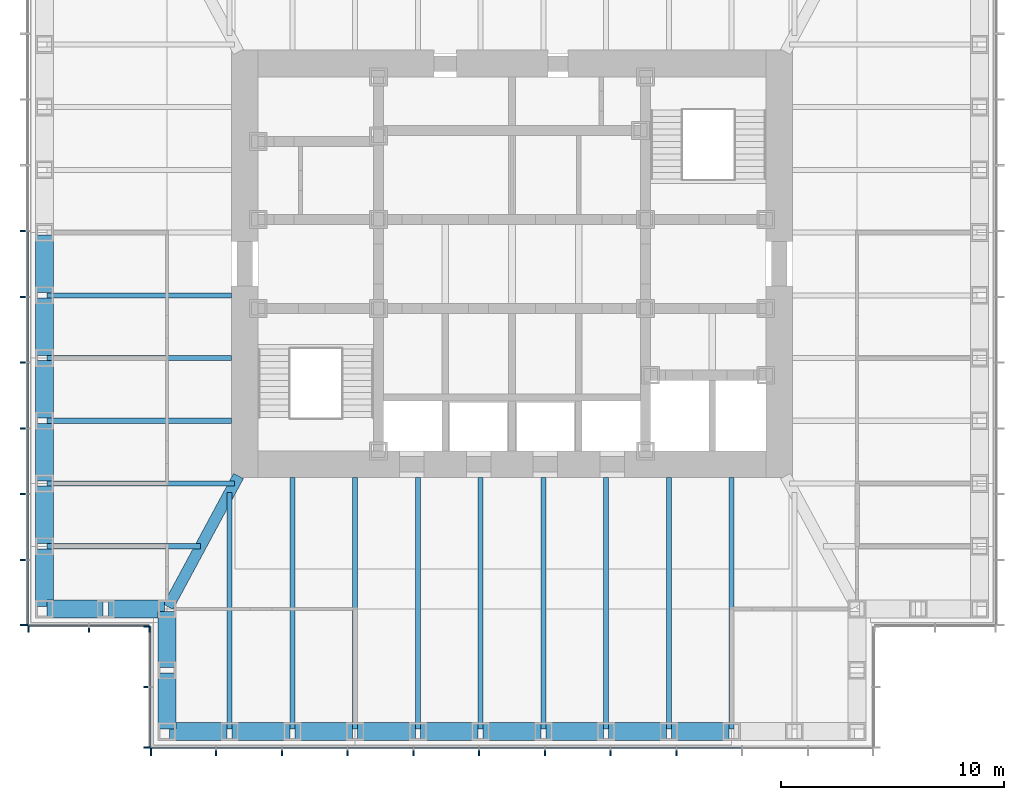
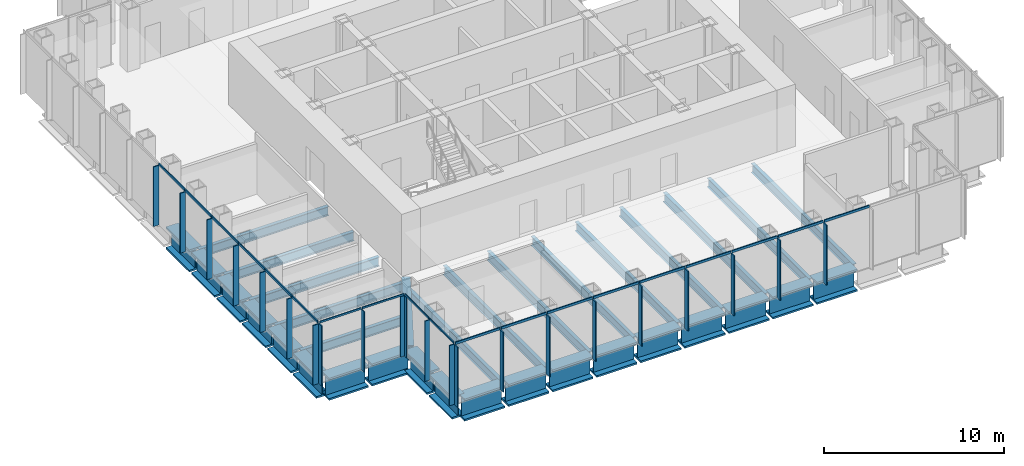
# One storey, part 2 of 16: 41 members, 34 beams, 4 elements without a shape of their own.
"""IFC4 building model written with IfcOpenShell, lengths in metres."""

from ifc_helpers import new_model, si_unit, direction, frame, origin, origin_2d, place, context, subcontext, project, spatial, rectangle, i_section, extrude, material, material_profile, profile_set, type_object, element, aggregate, save


model = new_model("IFC4")

# Units and contexts
model_context = context("Model", 3, precision=1e-05, world=origin(), true_north=direction((0.0, 1.0)))
body_context = subcontext(model_context, "Body", "Model", "MODEL_VIEW")
ifc_project = project(units=[si_unit("LENGTHUNIT", "METRE"), si_unit("AREAUNIT", "SQUARE_METRE"), si_unit("VOLUMEUNIT", "CUBIC_METRE"), si_unit("PLANEANGLEUNIT", "RADIAN"), si_unit("MASSUNIT", "GRAM", prefix="KILO")], contexts=[model_context])

# Site, building, storey
site_placement = place(None, origin())
site = spatial("IfcSite", under=ifc_project, at=site_placement, CompositionType="ELEMENT")
building_placement = place(site_placement, origin())
building = spatial("IfcBuilding", under=site, at=building_placement, Name="Daluyong Arena Tower", CompositionType="ELEMENT")
storey_placement = place(building_placement, frame((0.0, 0.0, 231.699951171875)))
storey = spatial("IfcBuildingStorey", under=building, at=storey_placement, Name="L52", CompositionType="ELEMENT", Elevation=231.699951171875)

# Curtain wall, members
ifc_material_1 = material(Name="Bronze anodised aluminium and glass", Category="aluminium")
curtain_wall_type_1 = type_object("IfcCurtainWallType", Name="Curtain wall CW3", PredefinedType="USERDEFINED", material=ifc_material_1)
curtain_wall_1_placement = place(storey_placement, origin())
curtain_wall_1 = element("IfcCurtainWall", 1, at=curtain_wall_1_placement, inside=storey, type_object=curtain_wall_type_1, Name="curtain wall L52 S", ObjectType="UNITISED CURTAIN WALL", PredefinedType="USERDEFINED")
ifc_material_2 = material(Name="Bronze anodised aluminium fin", Category="aluminium")
ifc_material_profile_1 = material_profile(ifc_material_2, rectangle(XDim=0.35009765625, YDim=0.070068359375, at=origin_2d()))
ifc_profile_set_1 = profile_set([ifc_material_profile_1], Name="Bronze anodised aluminium fin")
member_type_1 = type_object("IfcMemberType", Name="CW3 bronze fin 350x70", PredefinedType="MULLION", material=ifc_profile_set_1)
member_1_placement = place(storey_placement, frame((39.784912109375, 58.074951171875, 0.0), z_axis=(0.0, 0.0, 1.0), x_axis=(0.0, 1.0, 0.0)))
member_1 = element("IfcMember", 2, at=member_1_placement, type_object=member_type_1, Name="curtain wall L52 S fin 1", PredefinedType="MULLION", context=body_context, shape_type="SweptSolid", body=[
    extrude(rectangle(XDim=0.35009765625, YDim=0.070068359375, at=origin_2d()), origin(), (0.0, 0.0, 1.0), 4.0400390625),
])
member_2_placement = place(storey_placement, frame((42.70458984375, 58.074951171875, 0.0), z_axis=(0.0, 0.0, 1.0), x_axis=(0.0, 1.0, 0.0)))
member_2 = element("IfcMember", 3, at=member_2_placement, type_object=member_type_1, Name="curtain wall L52 S fin 2", PredefinedType="MULLION", context=body_context, shape_type="SweptSolid", body=[
    extrude(rectangle(XDim=0.35009765625, YDim=0.070068359375, at=origin_2d()), origin(), (0.0, 0.0, 1.0), 4.0400390625),
])
member_3_placement = place(storey_placement, frame((45.6591796875, 58.074951171875, 0.0), z_axis=(0.0, 0.0, 1.0), x_axis=(0.0, 1.0, 0.0)))
member_3 = element("IfcMember", 4, at=member_3_placement, type_object=member_type_1, Name="curtain wall L52 S fin 3", PredefinedType="MULLION", context=body_context, shape_type="SweptSolid", body=[
    extrude(rectangle(XDim=0.35009765625, YDim=0.070068359375, at=origin_2d()), origin(), (0.0, 0.0, 1.0), 4.0400390625),
])
member_4_placement = place(storey_placement, frame((48.613525390625, 58.074951171875, 0.0), z_axis=(0.0, 0.0, 1.0), x_axis=(0.0, 1.0, 0.0)))
member_4 = element("IfcMember", 5, at=member_4_placement, type_object=member_type_1, Name="curtain wall L52 S fin 4", PredefinedType="MULLION", context=body_context, shape_type="SweptSolid", body=[
    extrude(rectangle(XDim=0.35009765625, YDim=0.070068359375, at=origin_2d()), origin(), (0.0, 0.0, 1.0), 4.0400390625),
])
member_5_placement = place(storey_placement, frame((51.568115234375, 58.074951171875, 0.0), z_axis=(0.0, 0.0, 1.0), x_axis=(0.0, 1.0, 0.0)))
member_5 = element("IfcMember", 6, at=member_5_placement, type_object=member_type_1, Name="curtain wall L52 S fin 5", PredefinedType="MULLION", context=body_context, shape_type="SweptSolid", body=[
    extrude(rectangle(XDim=0.35009765625, YDim=0.070068359375, at=origin_2d()), origin(), (0.0, 0.0, 1.0), 4.0400390625),
])
member_6_placement = place(storey_placement, frame((54.522705078125, 58.074951171875, 0.0), z_axis=(0.0, 0.0, 1.0), x_axis=(0.0, 1.0, 0.0)))
member_6 = element("IfcMember", 7, at=member_6_placement, type_object=member_type_1, Name="curtain wall L52 S fin 6", PredefinedType="MULLION", context=body_context, shape_type="SweptSolid", body=[
    extrude(rectangle(XDim=0.35009765625, YDim=0.070068359375, at=origin_2d()), origin(), (0.0, 0.0, 1.0), 4.0400390625),
])
member_7_placement = place(storey_placement, frame((57.477294921875, 58.074951171875, 0.0), z_axis=(0.0, 0.0, 1.0), x_axis=(0.0, 1.0, 0.0)))
member_7 = element("IfcMember", 8, at=member_7_placement, type_object=member_type_1, Name="curtain wall L52 S fin 7", PredefinedType="MULLION", context=body_context, shape_type="SweptSolid", body=[
    extrude(rectangle(XDim=0.35009765625, YDim=0.070068359375, at=origin_2d()), origin(), (0.0, 0.0, 1.0), 4.0400390625),
])
member_8_placement = place(storey_placement, frame((60.431884765625, 58.074951171875, 0.0), z_axis=(0.0, 0.0, 1.0), x_axis=(0.0, 1.0, 0.0)))
member_8 = element("IfcMember", 9, at=member_8_placement, type_object=member_type_1, Name="curtain wall L52 S fin 8", PredefinedType="MULLION", context=body_context, shape_type="SweptSolid", body=[
    extrude(rectangle(XDim=0.35009765625, YDim=0.070068359375, at=origin_2d()), origin(), (0.0, 0.0, 1.0), 4.0400390625),
])
member_9_placement = place(storey_placement, frame((63.386474609375, 58.074951171875, 0.0), z_axis=(0.0, 0.0, 1.0), x_axis=(0.0, 1.0, 0.0)))
member_9 = element("IfcMember", 10, at=member_9_placement, type_object=member_type_1, Name="curtain wall L52 S fin 9", PredefinedType="MULLION", context=body_context, shape_type="SweptSolid", body=[
    extrude(rectangle(XDim=0.35009765625, YDim=0.070068359375, at=origin_2d()), origin(), (0.0, 0.0, 1.0), 4.0400390625),
])

curtain_wall_2_placement = place(storey_placement, origin())
curtain_wall_2 = element("IfcCurtainWall", 11, at=curtain_wall_2_placement, inside=storey, type_object=curtain_wall_type_1, Name="curtain wall L52 W", ObjectType="UNITISED CURTAIN WALL", PredefinedType="USERDEFINED")
member_10_placement = place(storey_placement, frame((34.074951171875, 81.477294921875, 0.0), z_axis=(0.0, 0.0, 1.0), x_axis=(1.0, 0.0, 0.0)))
member_10 = element("IfcMember", 12, at=member_10_placement, type_object=member_type_1, Name="curtain wall L52 W fin 6", PredefinedType="MULLION", context=body_context, shape_type="SweptSolid", body=[
    extrude(rectangle(XDim=0.35009765625, YDim=0.070068359375, at=origin_2d()), origin(), (0.0, 0.0, 1.0), 4.0400390625),
])
member_11_placement = place(storey_placement, frame((34.074951171875, 78.522705078125, 0.0), z_axis=(0.0, 0.0, 1.0), x_axis=(1.0, 0.0, 0.0)))
member_11 = element("IfcMember", 13, at=member_11_placement, type_object=member_type_1, Name="curtain wall L52 W fin 7", PredefinedType="MULLION", context=body_context, shape_type="SweptSolid", body=[
    extrude(rectangle(XDim=0.35009765625, YDim=0.070068359375, at=origin_2d()), origin(), (0.0, 0.0, 1.0), 4.0400390625),
])
member_12_placement = place(storey_placement, frame((34.074951171875, 75.568115234375, 0.0), z_axis=(0.0, 0.0, 1.0), x_axis=(1.0, 0.0, 0.0)))
member_12 = element("IfcMember", 14, at=member_12_placement, type_object=member_type_1, Name="curtain wall L52 W fin 8", PredefinedType="MULLION", context=body_context, shape_type="SweptSolid", body=[
    extrude(rectangle(XDim=0.35009765625, YDim=0.070068359375, at=origin_2d()), origin(), (0.0, 0.0, 1.0), 4.0400390625),
])
member_13_placement = place(storey_placement, frame((34.074951171875, 72.613525390625, 0.0), z_axis=(0.0, 0.0, 1.0), x_axis=(1.0, 0.0, 0.0)))
member_13 = element("IfcMember", 15, at=member_13_placement, type_object=member_type_1, Name="curtain wall L52 W fin 9", PredefinedType="MULLION", context=body_context, shape_type="SweptSolid", body=[
    extrude(rectangle(XDim=0.35009765625, YDim=0.070068359375, at=origin_2d()), origin(), (0.0, 0.0, 1.0), 4.0400390625),
])
member_14_placement = place(storey_placement, frame((34.074951171875, 69.6591796875, 0.0), z_axis=(0.0, 0.0, 1.0), x_axis=(1.0, 0.0, 0.0)))
member_14 = element("IfcMember", 16, at=member_14_placement, type_object=member_type_1, Name="curtain wall L52 W fin 10", PredefinedType="MULLION", context=body_context, shape_type="SweptSolid", body=[
    extrude(rectangle(XDim=0.35009765625, YDim=0.070068359375, at=origin_2d()), origin(), (0.0, 0.0, 1.0), 4.0400390625),
])
member_15_placement = place(storey_placement, frame((34.074951171875, 66.70458984375, 0.0), z_axis=(0.0, 0.0, 1.0), x_axis=(1.0, 0.0, 0.0)))
member_15 = element("IfcMember", 17, at=member_15_placement, type_object=member_type_1, Name="curtain wall L52 W fin 11", PredefinedType="MULLION", context=body_context, shape_type="SweptSolid", body=[
    extrude(rectangle(XDim=0.35009765625, YDim=0.070068359375, at=origin_2d()), origin(), (0.0, 0.0, 1.0), 4.0400390625),
])
member_16_placement = place(storey_placement, frame((34.074951171875, 63.784912109375, 0.0), z_axis=(0.0, 0.0, 1.0), x_axis=(1.0, 0.0, 0.0)))
member_16 = element("IfcMember", 18, at=member_16_placement, type_object=member_type_1, Name="curtain wall L52 W fin 12", PredefinedType="MULLION", context=body_context, shape_type="SweptSolid", body=[
    extrude(rectangle(XDim=0.35009765625, YDim=0.070068359375, at=origin_2d()), origin(), (0.0, 0.0, 1.0), 4.0400390625),
])

# Member
ifc_material_3 = material(Name="Bronze anodised aluminium", Category="aluminium")
ifc_material_profile_2 = material_profile(ifc_material_3, rectangle(XDim=0.070068359375, YDim=0.159912109375, at=origin_2d()))
ifc_profile_set_2 = profile_set([ifc_material_profile_2], Name="Bronze anodised aluminium")
member_type_2 = type_object("IfcMemberType", Name="CW3 stack transom 160x70", PredefinedType="USERDEFINED", material=ifc_profile_set_2)
member_17_placement = place(storey_placement, frame((39.820068359375, 58.25, 4.1201171875), z_axis=(1.0, 0.0, 0.0), x_axis=(0.0, 1.0, 0.0)))
member_17 = element("IfcMember", 19, at=member_17_placement, type_object=member_type_2, Name="curtain wall L52 S transom 1", ObjectType="TRANSOM", PredefinedType="USERDEFINED", context=body_context, shape_type="SweptSolid", body=[
    extrude(rectangle(XDim=0.070068359375, YDim=0.159912109375, at=origin_2d()), origin(), (0.0, 0.0, 1.0), 2.849365234375),
])

member_18_placement = place(storey_placement, frame((42.739501953125, 58.25, 4.1201171875), z_axis=(1.0, 0.0, 0.0), x_axis=(0.0, 1.0, 0.0)))
member_18 = element("IfcMember", 20, at=member_18_placement, type_object=member_type_2, Name="curtain wall L52 S transom 2", ObjectType="TRANSOM", PredefinedType="USERDEFINED", context=body_context, shape_type="SweptSolid", body=[
    extrude(rectangle(XDim=0.070068359375, YDim=0.159912109375, at=origin_2d()), origin(), (0.0, 0.0, 1.0), 2.884521484375),
])

member_19_placement = place(storey_placement, frame((45.694091796875, 58.25, 4.1201171875), z_axis=(1.0, 0.0, 0.0), x_axis=(0.0, 1.0, 0.0)))
member_19 = element("IfcMember", 21, at=member_19_placement, type_object=member_type_2, Name="curtain wall L52 S transom 3", ObjectType="TRANSOM", PredefinedType="USERDEFINED", context=body_context, shape_type="SweptSolid", body=[
    extrude(rectangle(XDim=0.070068359375, YDim=0.159912109375, at=origin_2d()), origin(), (0.0, 0.0, 1.0), 2.884521484375),
])

member_20_placement = place(storey_placement, frame((48.648681640625, 58.25, 4.1201171875), z_axis=(1.0, 0.0, 0.0), x_axis=(0.0, 1.0, 0.0)))
member_20 = element("IfcMember", 22, at=member_20_placement, type_object=member_type_2, Name="curtain wall L52 S transom 4", ObjectType="TRANSOM", PredefinedType="USERDEFINED", context=body_context, shape_type="SweptSolid", body=[
    extrude(rectangle(XDim=0.070068359375, YDim=0.159912109375, at=origin_2d()), origin(), (0.0, 0.0, 1.0), 2.884521484375),
])

member_21_placement = place(storey_placement, frame((51.603271484375, 58.25, 4.1201171875), z_axis=(1.0, 0.0, 0.0), x_axis=(0.0, 1.0, 0.0)))
member_21 = element("IfcMember", 23, at=member_21_placement, type_object=member_type_2, Name="curtain wall L52 S transom 5", ObjectType="TRANSOM", PredefinedType="USERDEFINED", context=body_context, shape_type="SweptSolid", body=[
    extrude(rectangle(XDim=0.070068359375, YDim=0.159912109375, at=origin_2d()), origin(), (0.0, 0.0, 1.0), 2.884521484375),
])

member_22_placement = place(storey_placement, frame((54.5576171875, 58.25, 4.1201171875), z_axis=(1.0, 0.0, 0.0), x_axis=(0.0, 1.0, 0.0)))
member_22 = element("IfcMember", 24, at=member_22_placement, type_object=member_type_2, Name="curtain wall L52 S transom 6", ObjectType="TRANSOM", PredefinedType="USERDEFINED", context=body_context, shape_type="SweptSolid", body=[
    extrude(rectangle(XDim=0.070068359375, YDim=0.159912109375, at=origin_2d()), origin(), (0.0, 0.0, 1.0), 2.884765625),
])

member_23_placement = place(storey_placement, frame((57.51220703125, 58.25, 4.1201171875), z_axis=(1.0, 0.0, 0.0), x_axis=(0.0, 1.0, 0.0)))
member_23 = element("IfcMember", 25, at=member_23_placement, type_object=member_type_2, Name="curtain wall L52 S transom 7", ObjectType="TRANSOM", PredefinedType="USERDEFINED", context=body_context, shape_type="SweptSolid", body=[
    extrude(rectangle(XDim=0.070068359375, YDim=0.159912109375, at=origin_2d()), origin(), (0.0, 0.0, 1.0), 2.884521484375),
])

member_24_placement = place(storey_placement, frame((60.466796875, 58.25, 4.1201171875), z_axis=(1.0, 0.0, 0.0), x_axis=(0.0, 1.0, 0.0)))
member_24 = element("IfcMember", 26, at=member_24_placement, type_object=member_type_2, Name="curtain wall L52 S transom 8", ObjectType="TRANSOM", PredefinedType="USERDEFINED", context=body_context, shape_type="SweptSolid", body=[
    extrude(rectangle(XDim=0.070068359375, YDim=0.159912109375, at=origin_2d()), origin(), (0.0, 0.0, 1.0), 2.884521484375),
])

member_25_placement = place(storey_placement, frame((63.42138671875, 58.25, 4.1201171875), z_axis=(1.0, 0.0, 0.0), x_axis=(0.0, 1.0, 0.0)))
member_25 = element("IfcMember", 27, at=member_25_placement, type_object=member_type_2, Name="curtain wall L52 S transom 9", ObjectType="TRANSOM", PredefinedType="USERDEFINED", context=body_context, shape_type="SweptSolid", body=[
    extrude(rectangle(XDim=0.070068359375, YDim=0.159912109375, at=origin_2d()), origin(), (0.0, 0.0, 1.0), 2.884521484375),
])

aggregate(curtain_wall_1, [member_1, member_2, member_3, member_4, member_5, member_6, member_7, member_8, member_9, member_17, member_18, member_19, member_20, member_21, member_22, member_23, member_24, member_25])

member_26_placement = place(storey_placement, frame((34.25, 81.4423828125, 4.1201171875), z_axis=(0.0, -1.0, 0.0), x_axis=(1.0, 0.0, 0.0)))
member_26 = element("IfcMember", 28, at=member_26_placement, type_object=member_type_2, Name="curtain wall L52 W transom 6", ObjectType="TRANSOM", PredefinedType="USERDEFINED", context=body_context, shape_type="SweptSolid", body=[
    extrude(rectangle(XDim=0.070068359375, YDim=0.159912109375, at=origin_2d()), origin(), (0.0, 0.0, 1.0), 2.884765625),
])

member_27_placement = place(storey_placement, frame((34.25, 78.48779296875, 4.1201171875), z_axis=(0.0, -1.0, 0.0), x_axis=(1.0, 0.0, 0.0)))
member_27 = element("IfcMember", 29, at=member_27_placement, type_object=member_type_2, Name="curtain wall L52 W transom 7", ObjectType="TRANSOM", PredefinedType="USERDEFINED", context=body_context, shape_type="SweptSolid", body=[
    extrude(rectangle(XDim=0.070068359375, YDim=0.159912109375, at=origin_2d()), origin(), (0.0, 0.0, 1.0), 2.884521484375),
])

member_28_placement = place(storey_placement, frame((34.25, 75.533203125, 4.1201171875), z_axis=(0.0, -1.0, 0.0), x_axis=(1.0, 0.0, 0.0)))
member_28 = element("IfcMember", 30, at=member_28_placement, type_object=member_type_2, Name="curtain wall L52 W transom 8", ObjectType="TRANSOM", PredefinedType="USERDEFINED", context=body_context, shape_type="SweptSolid", body=[
    extrude(rectangle(XDim=0.070068359375, YDim=0.159912109375, at=origin_2d()), origin(), (0.0, 0.0, 1.0), 2.884521484375),
])

member_29_placement = place(storey_placement, frame((34.25, 72.57861328125, 4.1201171875), z_axis=(0.0, -1.0, 0.0), x_axis=(1.0, 0.0, 0.0)))
member_29 = element("IfcMember", 31, at=member_29_placement, type_object=member_type_2, Name="curtain wall L52 W transom 9", ObjectType="TRANSOM", PredefinedType="USERDEFINED", context=body_context, shape_type="SweptSolid", body=[
    extrude(rectangle(XDim=0.070068359375, YDim=0.159912109375, at=origin_2d()), origin(), (0.0, 0.0, 1.0), 2.884521484375),
])

member_30_placement = place(storey_placement, frame((34.25, 69.6240234375, 4.1201171875), z_axis=(0.0, -1.0, 0.0), x_axis=(1.0, 0.0, 0.0)))
member_30 = element("IfcMember", 32, at=member_30_placement, type_object=member_type_2, Name="curtain wall L52 W transom 10", ObjectType="TRANSOM", PredefinedType="USERDEFINED", context=body_context, shape_type="SweptSolid", body=[
    extrude(rectangle(XDim=0.070068359375, YDim=0.159912109375, at=origin_2d()), origin(), (0.0, 0.0, 1.0), 2.884521484375),
])

member_31_placement = place(storey_placement, frame((34.25, 66.66943359375, 4.1201171875), z_axis=(0.0, -1.0, 0.0), x_axis=(1.0, 0.0, 0.0)))
member_31 = element("IfcMember", 33, at=member_31_placement, type_object=member_type_2, Name="curtain wall L52 W transom 11", ObjectType="TRANSOM", PredefinedType="USERDEFINED", context=body_context, shape_type="SweptSolid", body=[
    extrude(rectangle(XDim=0.070068359375, YDim=0.159912109375, at=origin_2d()), origin(), (0.0, 0.0, 1.0), 2.849365234375),
])

aggregate(curtain_wall_2, [member_10, member_11, member_12, member_13, member_14, member_15, member_16, member_26, member_27, member_28, member_29, member_30, member_31])

# Curtain wall, members
ifc_material_4 = material(Name="Bronze anodised aluminium and glass", Category="aluminium")
curtain_wall_type_2 = type_object("IfcCurtainWallType", Name="Curtain wall CW7", PredefinedType="USERDEFINED", material=ifc_material_4)
curtain_wall_3_placement = place(storey_placement, origin())
curtain_wall_3 = element("IfcCurtainWall", 34, at=curtain_wall_3_placement, inside=storey, type_object=curtain_wall_type_2, Name="curtain wall L52 SW-S", ObjectType="UNITISED CURTAIN WALL", PredefinedType="USERDEFINED")
ifc_material_5 = material(Name="Bronze anodised aluminium fin", Category="aluminium")
ifc_material_profile_3 = material_profile(ifc_material_5, rectangle(XDim=0.300048828125, YDim=0.06005859375, at=origin_2d()))
ifc_profile_set_3 = profile_set([ifc_material_profile_3], Name="Bronze anodised aluminium fin")
member_type_3 = type_object("IfcMemberType", Name="CW7 bronze fin 300x60", PredefinedType="MULLION", material=ifc_profile_set_3)
member_32_placement = place(storey_placement, frame((34.280029296875, 63.60009765625, 0.0), z_axis=(0.0, 0.0, 1.0), x_axis=(0.0, 1.0, 0.0)))
member_32 = element("IfcMember", 35, at=member_32_placement, type_object=member_type_3, Name="curtain wall L52 SW-S fin 1", PredefinedType="MULLION", context=body_context, shape_type="SweptSolid", body=[
    extrude(rectangle(XDim=0.300048828125, YDim=0.06005859375, at=origin_2d()), origin(), (0.0, 0.0, 1.0), 4.080078125),
])
member_33_placement = place(storey_placement, frame((37.0, 63.60009765625, 0.0), z_axis=(0.0, 0.0, 1.0), x_axis=(0.0, 1.0, 0.0)))
member_33 = element("IfcMember", 36, at=member_33_placement, type_object=member_type_3, Name="curtain wall L52 SW-S fin 2", PredefinedType="MULLION", context=body_context, shape_type="SweptSolid", body=[
    extrude(rectangle(XDim=0.300048828125, YDim=0.06005859375, at=origin_2d()), origin(), (0.0, 0.0, 1.0), 4.080078125),
])
member_34_placement = place(storey_placement, frame((39.719970703125, 63.60009765625, 0.0), z_axis=(0.0, 0.0, 1.0), x_axis=(0.0, 1.0, 0.0)))
member_34 = element("IfcMember", 37, at=member_34_placement, type_object=member_type_3, Name="curtain wall L52 SW-S fin 3", PredefinedType="MULLION", context=body_context, shape_type="SweptSolid", body=[
    extrude(rectangle(XDim=0.300048828125, YDim=0.06005859375, at=origin_2d()), origin(), (0.0, 0.0, 1.0), 4.080078125),
])

curtain_wall_4_placement = place(storey_placement, origin())
curtain_wall_4 = element("IfcCurtainWall", 38, at=curtain_wall_4_placement, inside=storey, type_object=curtain_wall_type_2, Name="curtain wall L52 SW-W", ObjectType="UNITISED CURTAIN WALL", PredefinedType="USERDEFINED")
member_35_placement = place(storey_placement, frame((39.60009765625, 63.719970703125, 0.0), z_axis=(0.0, 0.0, 1.0), x_axis=(1.0, 0.0, 0.0)))
member_35 = element("IfcMember", 39, at=member_35_placement, type_object=member_type_3, Name="curtain wall L52 SW-W fin 1", PredefinedType="MULLION", context=body_context, shape_type="SweptSolid", body=[
    extrude(rectangle(XDim=0.300048828125, YDim=0.06005859375, at=origin_2d()), origin(), (0.0, 0.0, 1.0), 4.080078125),
])
member_36_placement = place(storey_placement, frame((39.60009765625, 61.0, 0.0), z_axis=(0.0, 0.0, 1.0), x_axis=(1.0, 0.0, 0.0)))
member_36 = element("IfcMember", 40, at=member_36_placement, type_object=member_type_3, Name="curtain wall L52 SW-W fin 2", PredefinedType="MULLION", context=body_context, shape_type="SweptSolid", body=[
    extrude(rectangle(XDim=0.300048828125, YDim=0.06005859375, at=origin_2d()), origin(), (0.0, 0.0, 1.0), 4.080078125),
])
member_37_placement = place(storey_placement, frame((39.60009765625, 58.280029296875, 0.0), z_axis=(0.0, 0.0, 1.0), x_axis=(1.0, 0.0, 0.0)))
member_37 = element("IfcMember", 41, at=member_37_placement, type_object=member_type_3, Name="curtain wall L52 SW-W fin 3", PredefinedType="MULLION", context=body_context, shape_type="SweptSolid", body=[
    extrude(rectangle(XDim=0.300048828125, YDim=0.06005859375, at=origin_2d()), origin(), (0.0, 0.0, 1.0), 4.080078125),
])

# Member
ifc_material_6 = material(Name="Bronze anodised aluminium", Category="aluminium")
ifc_material_profile_4 = material_profile(ifc_material_6, rectangle(XDim=0.06005859375, YDim=0.1201171875, at=origin_2d()))
ifc_profile_set_4 = profile_set([ifc_material_profile_4], Name="Bronze anodised aluminium")
member_type_4 = type_object("IfcMemberType", Name="CW7 stack transom 120x60", PredefinedType="USERDEFINED", material=ifc_profile_set_4)
member_38_placement = place(storey_placement, frame((34.31005859375, 63.75, 4.14013671875), z_axis=(1.0, 0.0, 0.0), x_axis=(0.0, 1.0, 0.0)))
member_38 = element("IfcMember", 42, at=member_38_placement, type_object=member_type_4, Name="curtain wall L52 SW-S transom 1", ObjectType="TRANSOM", PredefinedType="USERDEFINED", context=body_context, shape_type="SweptSolid", body=[
    extrude(rectangle(XDim=0.06005859375, YDim=0.1201171875, at=origin_2d()), origin(), (0.0, 0.0, 1.0), 2.659912109375),
])

member_39_placement = place(storey_placement, frame((37.030029296875, 63.75, 4.14013671875), z_axis=(1.0, 0.0, 0.0), x_axis=(0.0, 1.0, 0.0)))
member_39 = element("IfcMember", 43, at=member_39_placement, type_object=member_type_4, Name="curtain wall L52 SW-S transom 2", ObjectType="TRANSOM", PredefinedType="USERDEFINED", context=body_context, shape_type="SweptSolid", body=[
    extrude(rectangle(XDim=0.06005859375, YDim=0.1201171875, at=origin_2d()), origin(), (0.0, 0.0, 1.0), 2.659912109375),
])

aggregate(curtain_wall_3, [member_32, member_33, member_34, member_38, member_39])

member_40_placement = place(storey_placement, frame((39.75, 63.68994140625, 4.14013671875), z_axis=(0.0, -1.0, 0.0), x_axis=(1.0, 0.0, 0.0)))
member_40 = element("IfcMember", 44, at=member_40_placement, type_object=member_type_4, Name="curtain wall L52 SW-W transom 1", ObjectType="TRANSOM", PredefinedType="USERDEFINED", context=body_context, shape_type="SweptSolid", body=[
    extrude(rectangle(XDim=0.06005859375, YDim=0.1201171875, at=origin_2d()), origin(), (0.0, 0.0, 1.0), 2.659912109375),
])

member_41_placement = place(storey_placement, frame((39.75, 60.969970703125, 4.14013671875), z_axis=(0.0, -1.0, 0.0), x_axis=(1.0, 0.0, 0.0)))
member_41 = element("IfcMember", 45, at=member_41_placement, type_object=member_type_4, Name="curtain wall L52 SW-W transom 2", ObjectType="TRANSOM", PredefinedType="USERDEFINED", context=body_context, shape_type="SweptSolid", body=[
    extrude(rectangle(XDim=0.06005859375, YDim=0.1201171875, at=origin_2d()), origin(), (0.0, 0.0, 1.0), 2.659912109375),
])

aggregate(curtain_wall_4, [member_35, member_36, member_37, member_40, member_41])

# Beams
ifc_material_7 = material(Name="Steel ASTM A572 Grade 50", Category="steel")
ifc_material_profile_5 = material_profile(ifc_material_7, i_section(OverallWidth=0.5, OverallDepth=1.0, WebThickness=0.03, FlangeThickness=0.06, at=origin_2d()))
ifc_profile_set_5 = profile_set([ifc_material_profile_5], Name="Steel ASTM A572 Grade 50")
beam_type_1 = type_object("IfcBeamType", Name="Corner girder TB1000X500", PredefinedType="BEAM", material=ifc_profile_set_5)
beam_1_placement = place(storey_placement, frame((40.554443359375, 64.601318359375, -0.659912109375), z_axis=(0.474119475266, 0.880460517669, 0.0), x_axis=(-0.880460517669, 0.474119475266, 0.0)))
element("IfcBeam", 46, at=beam_1_placement, inside=storey, type_object=beam_type_1, Name="corner girder DG2", PredefinedType="BEAM", context=body_context, shape_type="SweptSolid", body=[
    extrude(i_section(OverallWidth=0.5, OverallDepth=1.0, WebThickness=0.03, FlangeThickness=0.06, at=origin_2d()), origin(), (0.0, 0.0, 1.0), 6.66748046875),
])
ifc_material_8 = material(Name="Steel ASTM A992 Grade 50", Category="steel")
ifc_material_profile_6 = material_profile(ifc_material_8, i_section(OverallWidth=0.22900390625, OverallDepth=0.612060546875, WebThickness=0.011962890625, FlangeThickness=0.01953125, at=origin_2d()))
ifc_profile_set_6 = profile_set([ifc_material_profile_6], Name="Steel ASTM A992 Grade 50")
beam_type_2 = type_object("IfcBeamType", Name="Floor beam W24X84", PredefinedType="BEAM", material=ifc_profile_set_6)
beam_2_placement = place(storey_placement, frame((43.318115234375, 59.114990234375, -0.466064453125), z_axis=(0.0, 1.0, 0.0), x_axis=(-1.0, 0.0, 0.0)))
element("IfcBeam", 47, at=beam_2_placement, inside=storey, type_object=beam_type_2, Name="floor beam FB3", PredefinedType="BEAM", context=body_context, shape_type="SweptSolid", body=[
    extrude(i_section(OverallWidth=0.22900390625, OverallDepth=0.612060546875, WebThickness=0.011962890625, FlangeThickness=0.01953125, at=origin_2d()), origin(), (0.0, 0.0, 1.0), 10.618896484375),
])
for number, where, z_axis, x_axis, name in (
    (48, (46.136474609375, 59.114990234375, -0.466064453125), (0.0, 1.0, 0.0), (-1.0, 0.0, 0.0), "floor beam FB3"),
    (49, (48.95458984375, 59.114990234375, -0.466064453125), (0.0, 1.0, 0.0), (-1.0, 0.0, 0.0), "floor beam FB3"),
    (50, (51.772705078125, 59.114990234375, -0.466064453125), (0.0, 1.0, 0.0), (-1.0, 0.0, 0.0), "floor beam FB3"),
    (51, (54.5908203125, 59.114990234375, -0.466064453125), (0.0, 1.0, 0.0), (-1.0, 0.0, 0.0), "floor beam FB3"),
    (52, (57.4091796875, 59.114990234375, -0.466064453125), (0.0, 1.0, 0.0), (-1.0, 0.0, 0.0), "floor beam FB3"),
    (53, (60.227294921875, 59.114990234375, -0.466064453125), (0.0, 1.0, 0.0), (-1.0, 0.0, 0.0), "floor beam FB3"),
    (54, (63.04541015625, 59.114990234375, -0.466064453125), (0.0, 1.0, 0.0), (-1.0, 0.0, 0.0), "floor beam FB3"),
    (55, (65.863525390625, 59.114990234375, -0.466064453125), (0.0, 1.0, 0.0), (-1.0, 0.0, 0.0), "floor beam FB3"),
):
    element("IfcBeam", number, at=place(storey_placement, frame(where, z_axis=z_axis, x_axis=x_axis)), inside=storey, type_object=beam_type_2, Name=name, PredefinedType="BEAM", context=body_context, shape_type="SweptSolid", body=[
        extrude(i_section(OverallWidth=0.22900390625, OverallDepth=0.612060546875, WebThickness=0.011962890625, FlangeThickness=0.01953125, at=origin_2d()), origin(), (0.0, 0.0, 1.0), 11.284912109375),
    ])
for number, where, z_axis, x_axis, name in (
    (56, (35.114990234375, 78.5908203125, -0.466064453125), (1.0, 0.0, 0.0), (0.0, 1.0, 0.0), "floor beam FB3"),
    (57, (35.114990234375, 75.772705078125, -0.466064453125), (1.0, 0.0, 0.0), (0.0, 1.0, 0.0), "floor beam FB3"),
    (58, (35.114990234375, 72.95458984375, -0.466064453125), (1.0, 0.0, 0.0), (0.0, 1.0, 0.0), "floor beam FB3"),
):
    element("IfcBeam", number, at=place(storey_placement, frame(where, z_axis=z_axis, x_axis=x_axis)), inside=storey, type_object=beam_type_2, Name=name, PredefinedType="BEAM", context=body_context, shape_type="SweptSolid", body=[
        extrude(i_section(OverallWidth=0.22900390625, OverallDepth=0.612060546875, WebThickness=0.011962890625, FlangeThickness=0.01953125, at=origin_2d()), origin(), (0.0, 0.0, 1.0), 8.284912109375),
    ])
beam_3_placement = place(storey_placement, frame((35.114990234375, 70.136474609375, -0.466064453125), z_axis=(1.0, 0.0, 0.0), x_axis=(0.0, 1.0, 0.0)))
element("IfcBeam", 59, at=beam_3_placement, inside=storey, type_object=beam_type_2, Name="floor beam FB3", PredefinedType="BEAM", context=body_context, shape_type="SweptSolid", body=[
    extrude(i_section(OverallWidth=0.22900390625, OverallDepth=0.612060546875, WebThickness=0.011962890625, FlangeThickness=0.01953125, at=origin_2d()), origin(), (0.0, 0.0, 1.0), 8.419921875),
])
beam_4_placement = place(storey_placement, frame((35.114990234375, 67.318115234375, -0.466064453125), z_axis=(1.0, 0.0, 0.0), x_axis=(0.0, 1.0, 0.0)))
element("IfcBeam", 60, at=beam_4_placement, inside=storey, type_object=beam_type_2, Name="floor beam FB3", PredefinedType="BEAM", context=body_context, shape_type="SweptSolid", body=[
    extrude(i_section(OverallWidth=0.22900390625, OverallDepth=0.612060546875, WebThickness=0.011962890625, FlangeThickness=0.01953125, at=origin_2d()), origin(), (0.0, 0.0, 1.0), 6.902587890625),
])
ifc_material_9 = material(Name="Steel ASTM A588 Grade 50", Category="steel")
ifc_material_profile_7 = material_profile(ifc_material_9, i_section(OverallWidth=0.800048828125, OverallDepth=1.5, WebThickness=0.05, FlangeThickness=0.12, at=origin_2d()))
ifc_profile_set_7 = profile_set([ifc_material_profile_7], Name="Steel ASTM A588 Grade 50")
beam_type_3 = type_object("IfcBeamType", Name="Spandrel Z3 PG1500X800", PredefinedType="SPANDREL", material=ifc_profile_set_7)
beam_5_placement = place(storey_placement, frame((40.614990234375, 59.0, -0.909912109375), z_axis=(1.0, 0.0, 0.0), x_axis=(0.0, 1.0, 0.0)))
element("IfcBeam", 61, at=beam_5_placement, inside=storey, type_object=beam_type_3, Name="spandrel z3 SB7", PredefinedType="SPANDREL", context=body_context, shape_type="SweptSolid", body=[
    extrude(i_section(OverallWidth=0.800048828125, OverallDepth=1.5, WebThickness=0.05, FlangeThickness=0.12, at=origin_2d()), origin(), (0.0, 0.0, 1.0), 2.588134765625),
])
beam_6_placement = place(storey_placement, frame((43.43310546875, 59.0, -0.909912109375), z_axis=(1.0, 0.0, 0.0), x_axis=(0.0, 1.0, 0.0)))
element("IfcBeam", 62, at=beam_6_placement, inside=storey, type_object=beam_type_3, Name="spandrel z3 SB7", PredefinedType="SPANDREL", context=body_context, shape_type="SweptSolid", body=[
    extrude(i_section(OverallWidth=0.800048828125, OverallDepth=1.5, WebThickness=0.05, FlangeThickness=0.12, at=origin_2d()), origin(), (0.0, 0.0, 1.0), 2.58837890625),
])
for number, where, z_axis, x_axis, name in (
    (63, (46.25146484375, 59.0, -0.909912109375), (1.0, 0.0, 0.0), (0.0, 1.0, 0.0), "spandrel z3 SB7"),
    (64, (49.069580078125, 59.0, -0.909912109375), (1.0, 0.0, 0.0), (0.0, 1.0, 0.0), "spandrel z3 SB7"),
    (65, (51.8876953125, 59.0, -0.909912109375), (1.0, 0.0, 0.0), (0.0, 1.0, 0.0), "spandrel z3 SB7"),
):
    element("IfcBeam", number, at=place(storey_placement, frame(where, z_axis=z_axis, x_axis=x_axis)), inside=storey, type_object=beam_type_3, Name=name, PredefinedType="SPANDREL", context=body_context, shape_type="SweptSolid", body=[
        extrude(i_section(OverallWidth=0.800048828125, OverallDepth=1.5, WebThickness=0.05, FlangeThickness=0.12, at=origin_2d()), origin(), (0.0, 0.0, 1.0), 2.588134765625),
    ])
beam_7_placement = place(storey_placement, frame((54.705810546875, 59.0, -0.909912109375), z_axis=(1.0, 0.0, 0.0), x_axis=(0.0, 1.0, 0.0)))
element("IfcBeam", 66, at=beam_7_placement, inside=storey, type_object=beam_type_3, Name="spandrel z3 SB7", PredefinedType="SPANDREL", context=body_context, shape_type="SweptSolid", body=[
    extrude(i_section(OverallWidth=0.800048828125, OverallDepth=1.5, WebThickness=0.05, FlangeThickness=0.12, at=origin_2d()), origin(), (0.0, 0.0, 1.0), 2.58837890625),
])
for number, where, z_axis, x_axis, name in (
    (67, (57.524169921875, 59.0, -0.909912109375), (1.0, 0.0, 0.0), (0.0, 1.0, 0.0), "spandrel z3 SB7"),
    (68, (60.34228515625, 59.0, -0.909912109375), (1.0, 0.0, 0.0), (0.0, 1.0, 0.0), "spandrel z3 SB7"),
    (69, (63.160400390625, 59.0, -0.909912109375), (1.0, 0.0, 0.0), (0.0, 1.0, 0.0), "spandrel z3 SB7"),
):
    element("IfcBeam", number, at=place(storey_placement, frame(where, z_axis=z_axis, x_axis=x_axis)), inside=storey, type_object=beam_type_3, Name=name, PredefinedType="SPANDREL", context=body_context, shape_type="SweptSolid", body=[
        extrude(i_section(OverallWidth=0.800048828125, OverallDepth=1.5, WebThickness=0.05, FlangeThickness=0.12, at=origin_2d()), origin(), (0.0, 0.0, 1.0), 2.588134765625),
    ])
beam_8_placement = place(storey_placement, frame((35.0, 81.294189453125, -0.909912109375), z_axis=(0.0, -1.0, 0.0), x_axis=(1.0, 0.0, 0.0)))
element("IfcBeam", 70, at=beam_8_placement, inside=storey, type_object=beam_type_3, Name="spandrel z3 SB7", PredefinedType="SPANDREL", context=body_context, shape_type="SweptSolid", body=[
    extrude(i_section(OverallWidth=0.800048828125, OverallDepth=1.5, WebThickness=0.05, FlangeThickness=0.12, at=origin_2d()), origin(), (0.0, 0.0, 1.0), 2.58837890625),
])
for number, where, z_axis, x_axis, name in (
    (71, (35.0, 78.475830078125, -0.909912109375), (0.0, -1.0, 0.0), (1.0, 0.0, 0.0), "spandrel z3 SB7"),
    (72, (35.0, 75.65771484375, -0.909912109375), (0.0, -1.0, 0.0), (1.0, 0.0, 0.0), "spandrel z3 SB7"),
    (73, (35.0, 72.839599609375, -0.909912109375), (0.0, -1.0, 0.0), (1.0, 0.0, 0.0), "spandrel z3 SB7"),
):
    element("IfcBeam", number, at=place(storey_placement, frame(where, z_axis=z_axis, x_axis=x_axis)), inside=storey, type_object=beam_type_3, Name=name, PredefinedType="SPANDREL", context=body_context, shape_type="SweptSolid", body=[
        extrude(i_section(OverallWidth=0.800048828125, OverallDepth=1.5, WebThickness=0.05, FlangeThickness=0.12, at=origin_2d()), origin(), (0.0, 0.0, 1.0), 2.588134765625),
    ])
beam_9_placement = place(storey_placement, frame((35.0, 70.021484375, -0.909912109375), z_axis=(0.0, -1.0, 0.0), x_axis=(1.0, 0.0, 0.0)))
element("IfcBeam", 74, at=beam_9_placement, inside=storey, type_object=beam_type_3, Name="spandrel z3 SB7", PredefinedType="SPANDREL", context=body_context, shape_type="SweptSolid", body=[
    extrude(i_section(OverallWidth=0.800048828125, OverallDepth=1.5, WebThickness=0.05, FlangeThickness=0.12, at=origin_2d()), origin(), (0.0, 0.0, 1.0), 2.58837890625),
])
beam_10_placement = place(storey_placement, frame((35.0, 67.203125, -0.909912109375), z_axis=(0.0, -1.0, 0.0), x_axis=(1.0, 0.0, 0.0)))
element("IfcBeam", 75, at=beam_10_placement, inside=storey, type_object=beam_type_3, Name="spandrel z3 SB7", PredefinedType="SPANDREL", context=body_context, shape_type="SweptSolid", body=[
    extrude(i_section(OverallWidth=0.800048828125, OverallDepth=1.5, WebThickness=0.05, FlangeThickness=0.12, at=origin_2d()), origin(), (0.0, 0.0, 1.0), 2.588134765625),
])
for number, where, z_axis, x_axis, name in (
    (76, (35.114990234375, 64.5, -0.909912109375), (1.0, 0.0, 0.0), (0.0, 1.0, 0.0), "spandrel z3 SB7"),
    (77, (37.864990234375, 64.5, -0.909912109375), (1.0, 0.0, 0.0), (0.0, 1.0, 0.0), "spandrel z3 SB7"),
    (78, (40.5, 64.385009765625, -0.909912109375), (0.0, -1.0, 0.0), (1.0, 0.0, 0.0), "spandrel z3 SB7"),
    (79, (40.5, 61.635009765625, -0.909912109375), (0.0, -1.0, 0.0), (1.0, 0.0, 0.0), "spandrel z3 SB7"),
):
    element("IfcBeam", number, at=place(storey_placement, frame(where, z_axis=z_axis, x_axis=x_axis)), inside=storey, type_object=beam_type_3, Name=name, PredefinedType="SPANDREL", context=body_context, shape_type="SweptSolid", body=[
        extrude(i_section(OverallWidth=0.800048828125, OverallDepth=1.5, WebThickness=0.05, FlangeThickness=0.12, at=origin_2d()), origin(), (0.0, 0.0, 1.0), 2.52001953125),
    ])

save(model, "model.ifc")
